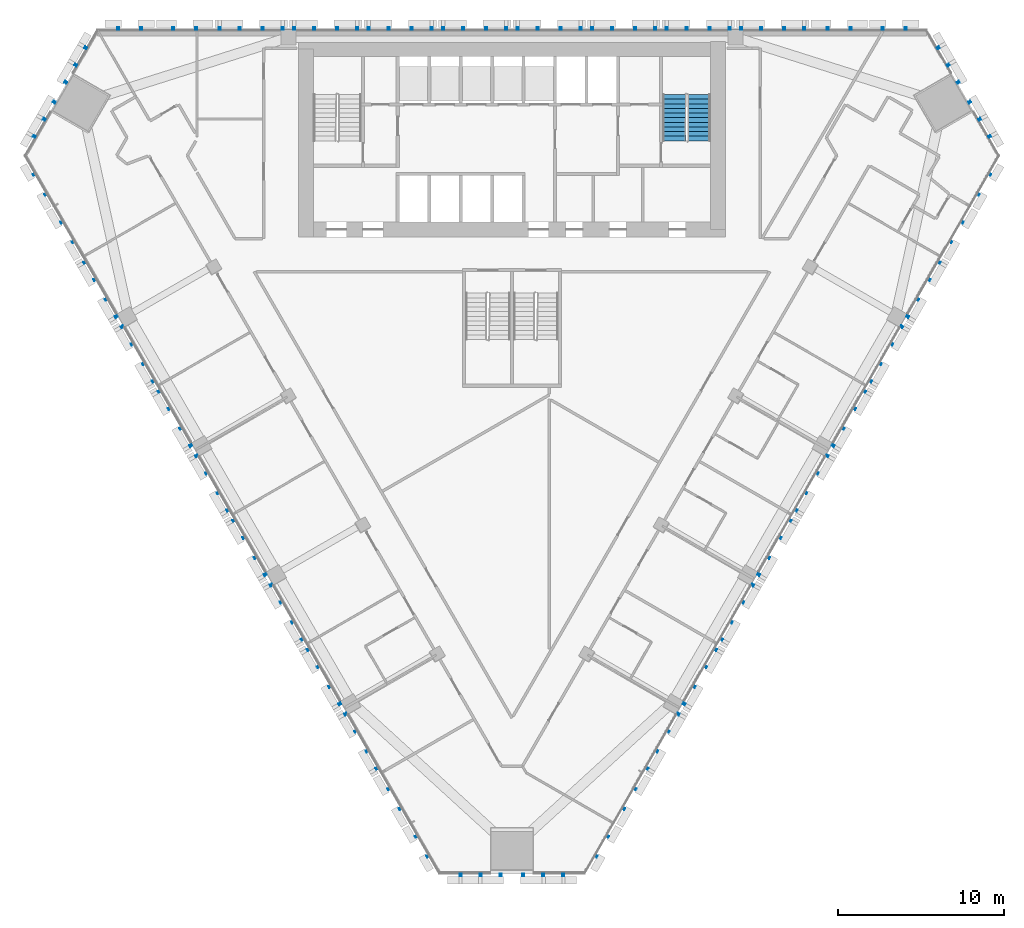
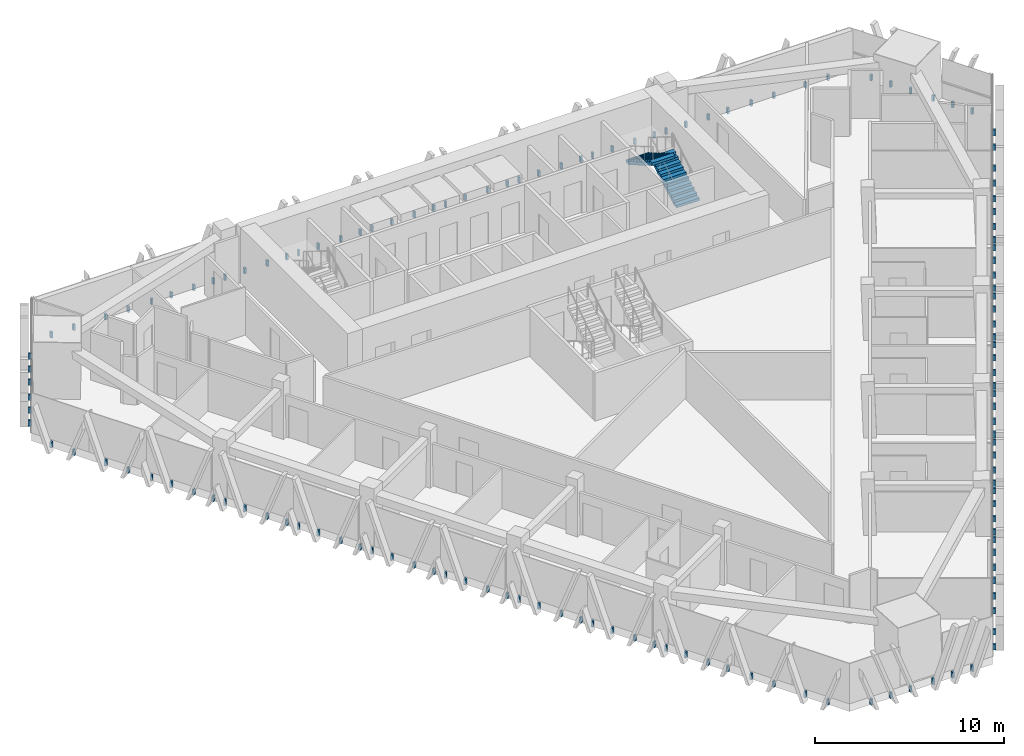
# One storey, part 13 of 16: 6 discrete accessories, 2 stair flights, 1 element without a shape of its own.
"""IFC4 building model written with IfcOpenShell, lengths in metres."""

from ifc_helpers import new_model, si_unit, direction, frame, origin, place, context, subcontext, project, spatial, polyline, outline, extrude, source, transform, mapped, material, type_object, element, aggregate, save


model = new_model("IFC4")

# Units and contexts
model_context = context("Model", 3, precision=1e-05, world=origin(), true_north=direction((0.0, 1.0)))
body_context = subcontext(model_context, "Body", "Model", "MODEL_VIEW")
ifc_project = project(units=[si_unit("LENGTHUNIT", "METRE"), si_unit("AREAUNIT", "SQUARE_METRE"), si_unit("VOLUMEUNIT", "CUBIC_METRE"), si_unit("PLANEANGLEUNIT", "RADIAN"), si_unit("MASSUNIT", "GRAM", prefix="KILO")], contexts=[model_context])

# Site, building, storey
site_placement = place(None, origin())
site = spatial("IfcSite", under=ifc_project, at=site_placement, CompositionType="ELEMENT")
building_placement = place(site_placement, origin())
building = spatial("IfcBuilding", under=site, at=building_placement, Name="Altiplano Prism Tower", CompositionType="ELEMENT")
storey_placement = place(building_placement, frame((0.0, 0.0, 84.60009765625)))
storey = spatial("IfcBuildingStorey", under=building, at=storey_placement, Name="L21", CompositionType="ELEMENT", Elevation=84.60009765625)

# Stair, stair flights
ifc_material_1 = material(Name="Concrete C40/50", Category="concrete")
stair_type = type_object("IfcStairType", Name="Exit stair 1400", PredefinedType="HALF_TURN_STAIR", material=ifc_material_1)
stair_placement = place(storey_placement, origin())
stair = element("IfcStair", 1, at=stair_placement, inside=storey, type_object=stair_type, Name="L21 Exit Stair 2", PredefinedType="HALF_TURN_STAIR")
stair_flight_type = type_object("IfcStairFlightType", Name="Stair flight concrete 150", PredefinedType="STRAIGHT", material=ifc_material_1)
stair_flight_1_placement = place(storey_placement, frame((96.300048828125, 98.300048828125, 0.0), z_axis=(0.0, 0.0, 1.0), x_axis=(0.0, 1.0, 0.0)))
stair_flight_1 = element("IfcStairFlight", 2, at=stair_flight_1_placement, type_object=stair_flight_type, Name="ST2 flight 1", NumberOfRisers=11, NumberOfTreads=10, PredefinedType="STRAIGHT", RiserHeight=0.163636364, TreadLength=0.28, context=body_context, shape_type="SweptSolid", body=[
    extrude(outline(polyline([(0.0, 0.0), (0.0, 0.16357421875), (0.280029296875, 0.16357421875), (0.280029296875, 0.327392578125), (0.56005859375, 0.327392578125), (0.56005859375, 0.490966796875), (0.840087890625, 0.490966796875), (0.840087890625, 0.654541015625), (1.1201171875, 0.654541015625), (1.1201171875, 0.818115234375), (1.39990234375, 0.818115234375), (1.39990234375, 0.98193359375), (1.679931640625, 0.98193359375), (1.679931640625, 1.1455078125), (1.9599609375, 1.1455078125), (1.9599609375, 1.30908203125), (2.239990234375, 1.30908203125), (2.239990234375, 1.47265625), (2.52001953125, 1.47265625), (2.52001953125, 1.636474609375), (2.800048828125, 1.636474609375), (2.800048828125, 1.800048828125), (2.800048828125, 1.462646484375), (0.297119140625, 0.0), (0.0, 0.0)])), frame((0.0, 0.699951171875, 0.0), z_axis=(0.0, -1.0, 0.0), x_axis=(1.0, 0.0, 0.0)), (0.0, 0.0, 1.0), 1.39990234375),
])
stair_flight_2_placement = place(storey_placement, frame((94.800048828125, 101.10009765625, 1.7998046875), z_axis=(0.0, 0.0, 1.0), x_axis=(0.0, -1.0, 0.0)))
stair_flight_2 = element("IfcStairFlight", 3, at=stair_flight_2_placement, type_object=stair_flight_type, Name="ST2 flight 2", NumberOfRisers=11, NumberOfTreads=10, PredefinedType="STRAIGHT", RiserHeight=0.163636364, TreadLength=0.28, context=body_context, shape_type="SweptSolid", body=[
    extrude(outline(polyline([(0.0, 0.0), (0.0, 0.16357421875), (0.280029296875, 0.16357421875), (0.280029296875, 0.327392578125), (0.56005859375, 0.327392578125), (0.56005859375, 0.490966796875), (0.840087890625, 0.490966796875), (0.840087890625, 0.654541015625), (1.1201171875, 0.654541015625), (1.1201171875, 0.818115234375), (1.39990234375, 0.818115234375), (1.39990234375, 0.98193359375), (1.679931640625, 0.98193359375), (1.679931640625, 1.1455078125), (1.9599609375, 1.1455078125), (1.9599609375, 1.30908203125), (2.239990234375, 1.30908203125), (2.239990234375, 1.47265625), (2.52001953125, 1.47265625), (2.52001953125, 1.636474609375), (2.800048828125, 1.636474609375), (2.800048828125, 1.800048828125), (2.800048828125, 1.462646484375), (0.297119140625, 0.0), (0.0, 0.0)])), frame((0.0, 0.699951171875, 0.0), z_axis=(0.0, -1.0, 0.0), x_axis=(1.0, 0.0, 0.0)), (0.0, 0.0, 1.0), 1.39990234375),
])
aggregate(stair, [stair_flight_1, stair_flight_2])

# Discrete accessories
ifc_material_2 = material(Name="Stainless steel", Category="steel")
discrete_accessory_type = type_object("IfcDiscreteAccessoryType", Name="Stone fin fixing prongs", PredefinedType="USERDEFINED", material=ifc_material_2)
shared_shape_1 = source(origin(), body_context, "Body", "SweptSolid", [
    extrude(outline(polyline([(-0.7509765625, 0.06005859375), (-0.631103515625, 0.06005859375), (-0.631103515625, 0.43994140625), (-0.7509765625, 0.43994140625), (-0.7509765625, 0.06005859375)])), frame((0.0, 0.0, 0.0), z_axis=(0.0, -1.0, 0.0), x_axis=(1.0, 0.0, 0.0)), (0.0, 0.0, 1.0), 0.14990234375),
    extrude(outline(polyline([(0.631103515625, 0.06005859375), (0.7509765625, 0.06005859375), (0.7509765625, 0.43994140625), (0.631103515625, 0.43994140625), (0.631103515625, 0.06005859375)])), frame((0.0, 0.0, 0.0), z_axis=(0.0, -1.0, 0.0), x_axis=(1.0, 0.0, 0.0)), (0.0, 0.0, 1.0), 0.14990234375),
])
shared_shape_2 = source(origin(), body_context, "Body", "SweptSolid", [
    extrude(outline(polyline([(-0.7509765625, 0.06005859375), (-0.631103515625, 0.06005859375), (-0.631103515625, 0.43994140625), (-0.7509765625, 0.43994140625), (-0.7509765625, 0.06005859375)])), frame((0.0, 0.0, 0.0), z_axis=(0.0, -1.0, 0.0), x_axis=(1.0, 0.0, 0.0)), (0.0, 0.0, 1.0), 0.14990234375),
    extrude(outline(polyline([(0.631103515625, 0.06005859375), (0.7509765625, 0.06005859375), (0.7509765625, 0.43994140625), (0.631103515625, 0.43994140625), (0.631103515625, 0.06005859375)])), frame((0.0, 0.0, 0.0), z_axis=(0.0, -1.0, 0.0), x_axis=(1.0, 0.0, 0.0)), (0.0, 0.0, 1.0), 0.14990234375),
])
shared_shape_3 = source(origin(), body_context, "Body", "SweptSolid", [
    extrude(outline(polyline([(-1.950927734375, 0.06005859375), (-1.8310546875, 0.06005859375), (-1.8310546875, 0.43994140625), (-1.950927734375, 0.43994140625), (-1.950927734375, 0.06005859375)])), frame((0.0, 0.0, 0.0), z_axis=(0.0, -1.0, 0.0), x_axis=(1.0, 0.0, 0.0)), (0.0, 0.0, 1.0), 0.14990234375),
    extrude(outline(polyline([(-0.7509765625, 0.06005859375), (-0.631103515625, 0.06005859375), (-0.631103515625, 0.43994140625), (-0.7509765625, 0.43994140625), (-0.7509765625, 0.06005859375)])), frame((0.0, 0.0, 0.0), z_axis=(0.0, -1.0, 0.0), x_axis=(1.0, 0.0, 0.0)), (0.0, 0.0, 1.0), 0.14990234375),
    extrude(outline(polyline([(0.631103515625, 0.06005859375), (0.7509765625, 0.06005859375), (0.7509765625, 0.43994140625), (0.631103515625, 0.43994140625), (0.631103515625, 0.06005859375)])), frame((0.0, 0.0, 0.0), z_axis=(0.0, -1.0, 0.0), x_axis=(1.0, 0.0, 0.0)), (0.0, 0.0, 1.0), 0.14990234375),
    extrude(outline(polyline([(1.8310546875, 0.06005859375), (1.950927734375, 0.06005859375), (1.950927734375, 0.43994140625), (1.8310546875, 0.43994140625), (1.8310546875, 0.06005859375)])), frame((0.0, 0.0, 0.0), z_axis=(0.0, -1.0, 0.0), x_axis=(1.0, 0.0, 0.0)), (0.0, 0.0, 1.0), 0.14990234375),
])
discrete_accessory_1_placement = place(storey_placement, origin())
element("IfcDiscreteAccessory", 4, at=discrete_accessory_1_placement, inside=storey, type_object=discrete_accessory_type, Name="Fin fixings L21 north face", ObjectType="BRACKET", PredefinedType="USERDEFINED", context=body_context, shape_type="MappedRepresentation", body=[
    mapped(shared_shape_1, transform((108.083740234375, 105.0, -0.5), x_axis=(-1.0, 0.0, 0.0), y_axis=(0.0, -1.0, 0.0), z_axis=(0.0, 0.0, 1.0))),
    mapped(shared_shape_2, transform((104.76123046875, 105.0, -0.5), x_axis=(-1.0, 0.0, 0.0), y_axis=(0.0, -1.0, 0.0), z_axis=(0.0, 0.0, 1.0))),
    mapped(shared_shape_3, transform((100.75, 105.0, -0.5), x_axis=(-1.0, 0.0, 0.0), y_axis=(0.0, -1.0, 0.0), z_axis=(0.0, 0.0, 1.0))),
    mapped(shared_shape_3, transform((96.25, 105.0, -0.5), x_axis=(-1.0, 0.0, 0.0), y_axis=(0.0, -1.0, 0.0), z_axis=(0.0, 0.0, 1.0))),
    mapped(shared_shape_3, transform((91.75, 105.0, -0.5), x_axis=(-1.0, 0.0, 0.0), y_axis=(0.0, -1.0, 0.0), z_axis=(0.0, 0.0, 1.0))),
    mapped(shared_shape_3, transform((87.25, 105.0, -0.5), x_axis=(-1.0, 0.0, 0.0), y_axis=(0.0, -1.0, 0.0), z_axis=(0.0, 0.0, 1.0))),
    mapped(shared_shape_3, transform((82.75, 105.0, -0.5), x_axis=(-1.0, 0.0, 0.0), y_axis=(0.0, -1.0, 0.0), z_axis=(0.0, 0.0, 1.0))),
    mapped(shared_shape_3, transform((78.25, 105.0, -0.5), x_axis=(-1.0, 0.0, 0.0), y_axis=(0.0, -1.0, 0.0), z_axis=(0.0, 0.0, 1.0))),
    mapped(shared_shape_3, transform((73.75, 105.0, -0.5), x_axis=(-1.0, 0.0, 0.0), y_axis=(0.0, -1.0, 0.0), z_axis=(0.0, 0.0, 1.0))),
    mapped(shared_shape_3, transform((69.25, 105.0, -0.5), x_axis=(-1.0, 0.0, 0.0), y_axis=(0.0, -1.0, 0.0), z_axis=(0.0, 0.0, 1.0))),
    mapped(shared_shape_2, transform((65.23876953125, 105.0, -0.5), x_axis=(-1.0, 0.0, 0.0), y_axis=(0.0, -1.0, 0.0), z_axis=(0.0, 0.0, 1.0))),
    mapped(shared_shape_1, transform((61.916259765625, 105.0, -0.5), x_axis=(-1.0, 0.0, 0.0), y_axis=(0.0, -1.0, 0.0), z_axis=(0.0, 0.0, 1.0))),
])
discrete_accessory_2_placement = place(storey_placement, origin())
element("IfcDiscreteAccessory", 5, at=discrete_accessory_2_placement, inside=storey, type_object=discrete_accessory_type, Name="Fin fixings L21 south-west face", ObjectType="BRACKET", PredefinedType="USERDEFINED", context=body_context, shape_type="MappedRepresentation", body=[
    mapped(shared_shape_1, transform((56.551513671875, 95.707763671875, -0.5), x_axis=(0.500000008072, -0.866025399124, 0.0), y_axis=(0.866025399124, 0.500000008072, 0.0), z_axis=(0.0, 0.0, 1.0))),
    mapped(shared_shape_2, transform((58.212646484375, 92.83056640625, -0.5), x_axis=(0.500000008072, -0.866025399124, 0.0), y_axis=(0.866025399124, 0.500000008072, 0.0), z_axis=(0.0, 0.0, 1.0))),
    mapped(shared_shape_3, transform((60.21826171875, 89.356689453125, -0.5), x_axis=(0.500000008072, -0.866025399124, 0.0), y_axis=(0.866025399124, 0.500000008072, 0.0), z_axis=(0.0, 0.0, 1.0))),
    mapped(shared_shape_3, transform((62.46826171875, 85.45947265625, -0.5), x_axis=(0.500000008072, -0.866025399124, 0.0), y_axis=(0.866025399124, 0.500000008072, 0.0), z_axis=(0.0, 0.0, 1.0))),
    mapped(shared_shape_3, transform((64.71826171875, 81.5625, -0.5), x_axis=(0.500000008072, -0.866025399124, 0.0), y_axis=(0.866025399124, 0.500000008072, 0.0), z_axis=(0.0, 0.0, 1.0))),
    mapped(shared_shape_3, transform((66.96826171875, 77.665283203125, -0.5), x_axis=(0.500000008072, -0.866025399124, 0.0), y_axis=(0.866025399124, 0.500000008072, 0.0), z_axis=(0.0, 0.0, 1.0))),
    mapped(shared_shape_3, transform((69.21826171875, 73.76806640625, -0.5), x_axis=(0.500000008072, -0.866025399124, 0.0), y_axis=(0.866025399124, 0.500000008072, 0.0), z_axis=(0.0, 0.0, 1.0))),
    mapped(shared_shape_3, transform((71.46826171875, 69.87109375, -0.5), x_axis=(0.500000008072, -0.866025399124, 0.0), y_axis=(0.866025399124, 0.500000008072, 0.0), z_axis=(0.0, 0.0, 1.0))),
    mapped(shared_shape_3, transform((73.71826171875, 65.973876953125, -0.5), x_axis=(0.500000008072, -0.866025399124, 0.0), y_axis=(0.866025399124, 0.500000008072, 0.0), z_axis=(0.0, 0.0, 1.0))),
    mapped(shared_shape_3, transform((75.96826171875, 62.076904296875, -0.5), x_axis=(0.500000008072, -0.866025399124, 0.0), y_axis=(0.866025399124, 0.500000008072, 0.0), z_axis=(0.0, 0.0, 1.0))),
    mapped(shared_shape_2, transform((77.973876953125, 58.60302734375, -0.5), x_axis=(0.500000008072, -0.866025399124, 0.0), y_axis=(0.866025399124, 0.500000008072, 0.0), z_axis=(0.0, 0.0, 1.0))),
    mapped(shared_shape_1, transform((79.63525390625, 55.7255859375, -0.5), x_axis=(0.500000008072, -0.866025399124, 0.0), y_axis=(0.866025399124, 0.500000008072, 0.0), z_axis=(0.0, 0.0, 1.0))),
])
discrete_accessory_3_placement = place(storey_placement, origin())
element("IfcDiscreteAccessory", 6, at=discrete_accessory_3_placement, inside=storey, type_object=discrete_accessory_type, Name="Fin fixings L21 south-east face", ObjectType="BRACKET", PredefinedType="USERDEFINED", context=body_context, shape_type="MappedRepresentation", body=[
    mapped(shared_shape_1, transform((90.36474609375, 55.7255859375, -0.5), x_axis=(0.500000008072, 0.866025399124, 0.0), y_axis=(-0.866025399124, 0.500000008072, 0.0), z_axis=(0.0, 0.0, 1.0))),
    mapped(shared_shape_2, transform((92.026123046875, 58.60302734375, -0.5), x_axis=(0.500000008072, 0.866025399124, 0.0), y_axis=(-0.866025399124, 0.500000008072, 0.0), z_axis=(0.0, 0.0, 1.0))),
    mapped(shared_shape_3, transform((94.03173828125, 62.076904296875, -0.5), x_axis=(0.500000008072, 0.866025399124, 0.0), y_axis=(-0.866025399124, 0.500000008072, 0.0), z_axis=(0.0, 0.0, 1.0))),
    mapped(shared_shape_3, transform((96.28173828125, 65.973876953125, -0.5), x_axis=(0.500000008072, 0.866025399124, 0.0), y_axis=(-0.866025399124, 0.500000008072, 0.0), z_axis=(0.0, 0.0, 1.0))),
    mapped(shared_shape_3, transform((98.53173828125, 69.87109375, -0.5), x_axis=(0.500000008072, 0.866025399124, 0.0), y_axis=(-0.866025399124, 0.500000008072, 0.0), z_axis=(0.0, 0.0, 1.0))),
    mapped(shared_shape_3, transform((100.78173828125, 73.76806640625, -0.5), x_axis=(0.500000008072, 0.866025399124, 0.0), y_axis=(-0.866025399124, 0.500000008072, 0.0), z_axis=(0.0, 0.0, 1.0))),
    mapped(shared_shape_3, transform((103.03173828125, 77.665283203125, -0.5), x_axis=(0.500000008072, 0.866025399124, 0.0), y_axis=(-0.866025399124, 0.500000008072, 0.0), z_axis=(0.0, 0.0, 1.0))),
    mapped(shared_shape_3, transform((105.28173828125, 81.5625, -0.5), x_axis=(0.500000008072, 0.866025399124, 0.0), y_axis=(-0.866025399124, 0.500000008072, 0.0), z_axis=(0.0, 0.0, 1.0))),
    mapped(shared_shape_3, transform((107.53173828125, 85.45947265625, -0.5), x_axis=(0.500000008072, 0.866025399124, 0.0), y_axis=(-0.866025399124, 0.500000008072, 0.0), z_axis=(0.0, 0.0, 1.0))),
    mapped(shared_shape_3, transform((109.78173828125, 89.356689453125, -0.5), x_axis=(0.500000008072, 0.866025399124, 0.0), y_axis=(-0.866025399124, 0.500000008072, 0.0), z_axis=(0.0, 0.0, 1.0))),
    mapped(shared_shape_2, transform((111.787353515625, 92.83056640625, -0.5), x_axis=(0.500000008072, 0.866025399124, 0.0), y_axis=(-0.866025399124, 0.500000008072, 0.0), z_axis=(0.0, 0.0, 1.0))),
    mapped(shared_shape_1, transform((113.448486328125, 95.707763671875, -0.5), x_axis=(0.500000008072, 0.866025399124, 0.0), y_axis=(-0.866025399124, 0.500000008072, 0.0), z_axis=(0.0, 0.0, 1.0))),
])
shared_shape_4 = source(origin(), body_context, "Body", "SweptSolid", [
    extrude(outline(polyline([(-3.15087890625, 0.06005859375), (-3.031005859375, 0.06005859375), (-3.031005859375, 0.43994140625), (-3.15087890625, 0.43994140625), (-3.15087890625, 0.06005859375)])), frame((0.0, 0.0, 0.0), z_axis=(0.0, -1.0, 0.0), x_axis=(1.0, 0.0, 0.0)), (0.0, 0.0, 1.0), 0.14990234375),
    extrude(outline(polyline([(-1.950927734375, 0.06005859375), (-1.8310546875, 0.06005859375), (-1.8310546875, 0.43994140625), (-1.950927734375, 0.43994140625), (-1.950927734375, 0.06005859375)])), frame((0.0, 0.0, 0.0), z_axis=(0.0, -1.0, 0.0), x_axis=(1.0, 0.0, 0.0)), (0.0, 0.0, 1.0), 0.14990234375),
    extrude(outline(polyline([(-0.7509765625, 0.06005859375), (-0.631103515625, 0.06005859375), (-0.631103515625, 0.43994140625), (-0.7509765625, 0.43994140625), (-0.7509765625, 0.06005859375)])), frame((0.0, 0.0, 0.0), z_axis=(0.0, -1.0, 0.0), x_axis=(1.0, 0.0, 0.0)), (0.0, 0.0, 1.0), 0.14990234375),
    extrude(outline(polyline([(0.631103515625, 0.06005859375), (0.7509765625, 0.06005859375), (0.7509765625, 0.43994140625), (0.631103515625, 0.43994140625), (0.631103515625, 0.06005859375)])), frame((0.0, 0.0, 0.0), z_axis=(0.0, -1.0, 0.0), x_axis=(1.0, 0.0, 0.0)), (0.0, 0.0, 1.0), 0.14990234375),
    extrude(outline(polyline([(1.8310546875, 0.06005859375), (1.950927734375, 0.06005859375), (1.950927734375, 0.43994140625), (1.8310546875, 0.43994140625), (1.8310546875, 0.06005859375)])), frame((0.0, 0.0, 0.0), z_axis=(0.0, -1.0, 0.0), x_axis=(1.0, 0.0, 0.0)), (0.0, 0.0, 1.0), 0.14990234375),
    extrude(outline(polyline([(3.031005859375, 0.06005859375), (3.15087890625, 0.06005859375), (3.15087890625, 0.43994140625), (3.031005859375, 0.43994140625), (3.031005859375, 0.06005859375)])), frame((0.0, 0.0, 0.0), z_axis=(0.0, -1.0, 0.0), x_axis=(1.0, 0.0, 0.0)), (0.0, 0.0, 1.0), 0.14990234375),
])
discrete_accessory_4_placement = place(storey_placement, origin())
element("IfcDiscreteAccessory", 7, at=discrete_accessory_4_placement, inside=storey, type_object=discrete_accessory_type, Name="Fin fixings L21 north-west chamfer", ObjectType="BRACKET", PredefinedType="USERDEFINED", context=body_context, shape_type="MappedRepresentation", body=[
    mapped(shared_shape_4, transform((57.762939453125, 101.203125, -0.5), x_axis=(-0.499999935885, -0.866025440801, 0.0), y_axis=(0.866025440801, -0.499999935885, 0.0), z_axis=(0.0, 0.0, 1.0))),
])
discrete_accessory_5_placement = place(storey_placement, origin())
element("IfcDiscreteAccessory", 8, at=discrete_accessory_5_placement, inside=storey, type_object=discrete_accessory_type, Name="Fin fixings L21 south chamfer", ObjectType="BRACKET", PredefinedType="USERDEFINED", context=body_context, shape_type="MappedRepresentation", body=[
    mapped(shared_shape_4, transform((85.0, 54.027099609375, -0.5), x_axis=(1.0, 0.0, 0.0), y_axis=(0.0, 1.0, 0.0), z_axis=(0.0, 0.0, 1.0))),
])
discrete_accessory_6_placement = place(storey_placement, origin())
element("IfcDiscreteAccessory", 9, at=discrete_accessory_6_placement, inside=storey, type_object=discrete_accessory_type, Name="Fin fixings L21 north-east chamfer", ObjectType="BRACKET", PredefinedType="USERDEFINED", context=body_context, shape_type="MappedRepresentation", body=[
    mapped(shared_shape_4, transform((112.237060546875, 101.203125, -0.5), x_axis=(-0.499999935885, 0.866025440801, 0.0), y_axis=(-0.866025440801, -0.499999935885, 0.0), z_axis=(0.0, 0.0, 1.0))),
])

save(model, "model.ifc")
